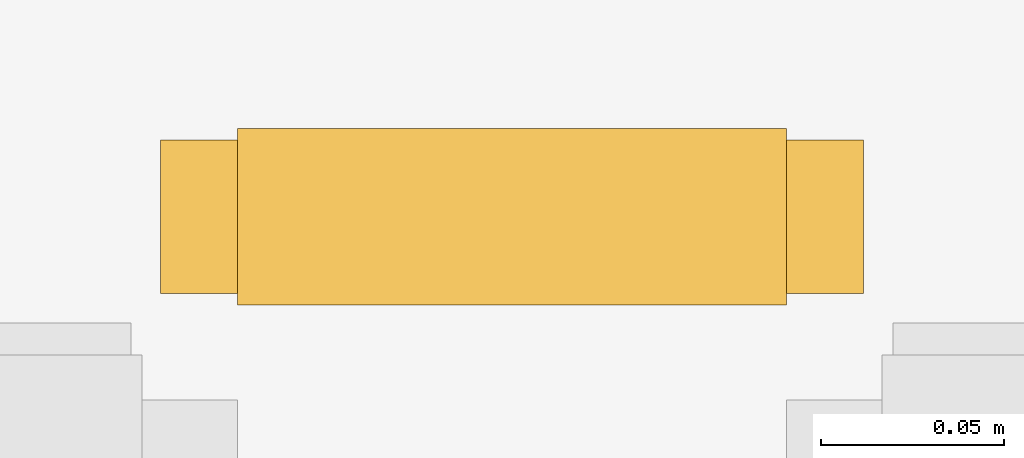
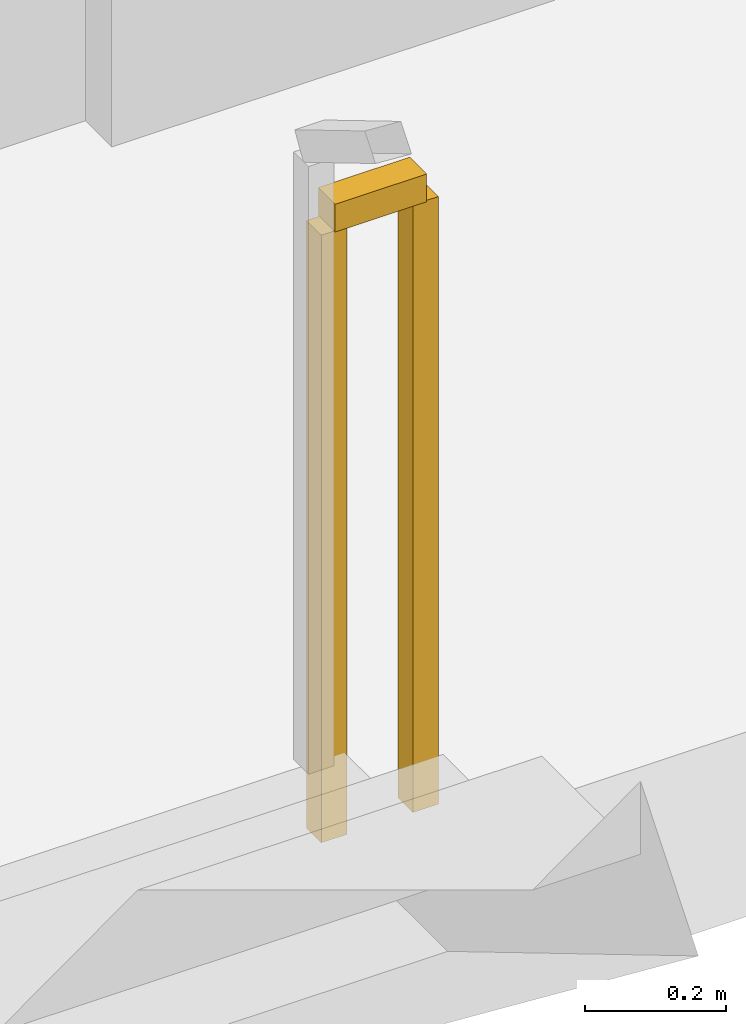
# One storey, part 24 of 24: 1 railing.
"""IFC4 building model written with IfcOpenShell, lengths in metres."""

from ifc_helpers import new_model, si_unit, direction, frame, origin, origin_2d, place, context, subcontext, project, spatial, rectangle, extrude, material, layer, layer_set, type_object, element, save


model = new_model("IFC4")

# Units and contexts
model_context = context("Model", 3, precision=1e-05, world=origin(), true_north=direction((0.0, 1.0)))
body_context = subcontext(model_context, "Body", "Model", "MODEL_VIEW")
ifc_project = project(units=[si_unit("LENGTHUNIT", "METRE"), si_unit("AREAUNIT", "SQUARE_METRE"), si_unit("VOLUMEUNIT", "CUBIC_METRE"), si_unit("PLANEANGLEUNIT", "RADIAN"), si_unit("MASSUNIT", "GRAM", prefix="KILO")], contexts=[model_context])

# Site, building, storey
site_placement = place(None, origin())
site = spatial("IfcSite", under=ifc_project, at=site_placement, CompositionType="ELEMENT")
building_placement = place(site_placement, origin())
building = spatial("IfcBuilding", under=site, at=building_placement, Name="Kilnhurst Terrace Hotel", CompositionType="ELEMENT")
storey_placement = place(building_placement, frame((0.0, 0.0, 305.39990234375)))
storey = spatial("IfcBuildingStorey", under=building, at=storey_placement, Name="L76", CompositionType="ELEMENT", Elevation=305.39990234375)

# Railing
ifc_material = material(Name="Powder-Coated Steel ASTM A500 Grade B", Category="steel")
ifc_layer = layer(ifc_material, 0.050048828125, Name="Powder-Coated Steel ASTM A500 Grade B")
ifc_layer_set = layer_set([ifc_layer], Name="Powder-Coated Steel ASTM A500 Grade B")
railing_type = type_object("IfcRailingType", Name="RLG-ST-GRD-1100", PredefinedType="GUARDRAIL", material=ifc_layer_set)
railing_placement = place(storey_placement, frame((6.5400390625, 0.43994140625, 0.0)))
element("IfcRailing", 1, at=railing_placement, inside=storey, type_object=railing_type, Name="L76 ST-2 stair guard 4", PredefinedType="GUARDRAIL", context=body_context, shape_type="SweptSolid", body=[
    extrude(rectangle(XDim=0.048095703125, YDim=0.048095703125, at=origin_2d()), frame((0.0, 0.0, 1.076171875), z_axis=(1.0, 0.0, 0.0), x_axis=(0.0, 1.0, 0.0)), (0.0, 0.0, 1.0), 0.14990234375),
    extrude(rectangle(XDim=0.0419921875, YDim=0.0419921875, at=origin_2d()), origin(), (0.0, 0.0, 1.0), 1.052001953125),
    extrude(rectangle(XDim=0.0419921875, YDim=0.0419921875, at=origin_2d()), frame((0.14990234375, 0.0, 0.0)), (0.0, 0.0, 1.0), 1.052001953125),
])

save(model, "model.ifc")
